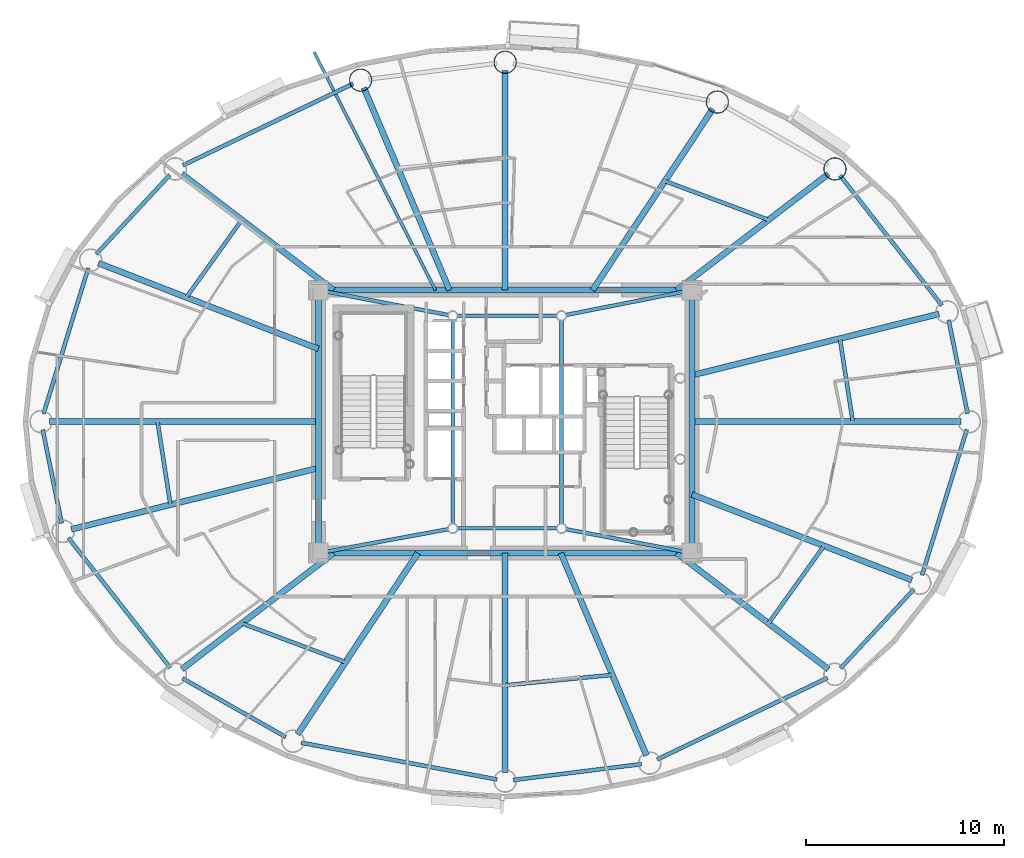
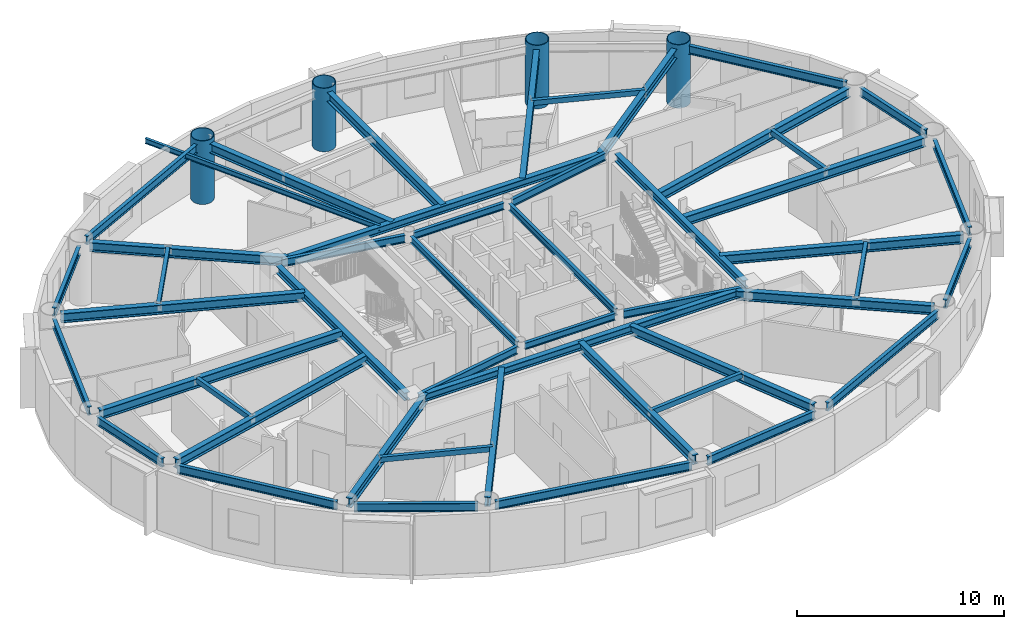
# One storey, part 3 of 22: 49 beams, 4 columns.
"""IFC4 building model written with IfcOpenShell, lengths in metres."""

from ifc_helpers import new_model, si_unit, direction, frame, origin, origin_2d, place, context, subcontext, project, spatial, hollow_rectangle, hollow_circle, i_section, extrude, material, material_profile, profile_set, type_object, element, save


model = new_model("IFC4")

# Units and contexts
model_context = context("Model", 3, precision=1e-05, world=origin(), true_north=direction((0.0, 1.0)))
body_context = subcontext(model_context, "Body", "Model", "MODEL_VIEW")
ifc_project = project(units=[si_unit("LENGTHUNIT", "METRE"), si_unit("AREAUNIT", "SQUARE_METRE"), si_unit("VOLUMEUNIT", "CUBIC_METRE"), si_unit("PLANEANGLEUNIT", "RADIAN"), si_unit("MASSUNIT", "GRAM", prefix="KILO")], contexts=[model_context])

# Site, building, storey
site_placement = place(None, origin())
site = spatial("IfcSite", under=ifc_project, at=site_placement, CompositionType="ELEMENT")
building_placement = place(site_placement, origin())
building = spatial("IfcBuilding", under=site, at=building_placement, Name="Linh Dai School and Residence Tower", CompositionType="ELEMENT")
storey_placement = place(building_placement, frame((0.0, 0.0, 214.050048828125)))
storey = spatial("IfcBuildingStorey", under=building, at=storey_placement, Name="L52", CompositionType="ELEMENT", Elevation=214.050048828125)

# Columns
ifc_material = material(Name="Structural Steel S355JR", Category="steel")
ifc_material_profile_1 = material_profile(ifc_material, hollow_circle(Radius=0.574951171875, WallThickness=0.035888671875, at=origin_2d()), Name="CHS 1150x36")
ifc_profile_set_1 = profile_set([ifc_material_profile_1], Name="Structural Steel S355JR")
column_type = type_object("IfcColumnType", Name="COL-MC5", PredefinedType="COLUMN", material=ifc_profile_set_1)
for number, where, z_axis, x_axis, name in (
    (1, (52.68310546875, 39.781005859375, 0.0), (0.0, 0.0, 1.0), (1.0, 0.0, 0.0), "L52 Perimeter CFT Mega-Column MC03"),
    (2, (46.734619140625, 43.16357421875, 0.0), (0.0, 0.0, 1.0), (1.0, 0.0, 0.0), "L52 Perimeter CFT Mega-Column MC04"),
    (3, (36.0, 45.179931640625, 0.0), (0.0, 0.0, 1.0), (1.0, 0.0, 0.0), "L52 Perimeter CFT Mega-Column MC05"),
    (4, (28.68798828125, 44.2734375, 0.0), (0.0, 0.0, 1.0), (1.0, 0.0, 0.0), "L52 Perimeter CFT Mega-Column MC06"),
):
    element("IfcColumn", number, at=place(storey_placement, frame(where, z_axis=z_axis, x_axis=x_axis)), inside=storey, type_object=column_type, Name=name, PredefinedType="COLUMN", context=body_context, shape_type="SweptSolid", body=[
        extrude(hollow_circle(Radius=0.574951171875, WallThickness=0.035888671875, at=origin_2d()), origin(), (0.0, 0.0, 1.0), 3.75),
    ])

# Beams
ifc_material_profile_2 = material_profile(ifc_material, i_section(OverallWidth=0.14990234375, OverallDepth=0.300048828125, WebThickness=0.007080078125, FlangeThickness=0.0107421875, at=origin_2d()), Name="IPE 300")
ifc_profile_set_2 = profile_set([ifc_material_profile_2], Name="Structural Steel S355JR")
beam_type_1 = type_object("IfcBeamType", Name="BM-BALC-CANT", PredefinedType="BEAM", material=ifc_profile_set_2)
beam_1_placement = place(storey_placement, frame((32.472900390625, 33.64990234375, 3.349853515625), z_axis=(-0.453966886406, 0.891018555388, 0.0), x_axis=(-0.891018555388, -0.453966886406, 0.0)))
element("IfcBeam", 5, at=beam_1_placement, inside=storey, type_object=beam_type_1, Name="L53 Balcony Continuous Cantilever Beam 13", PredefinedType="BEAM", context=body_context, shape_type="SweptSolid", body=[
    extrude(i_section(OverallWidth=0.14990234375, OverallDepth=0.300048828125, WebThickness=0.007080078125, FlangeThickness=0.0107421875, at=origin_2d()), origin(), (0.0, 0.0, 1.0), 13.52392578125),
])
ifc_material_profile_3 = material_profile(ifc_material, hollow_rectangle(XDim=0.199951171875, YDim=0.300048828125, WallThickness=0.010009765625, at=origin_2d()), Name="RHS 300x200x10")
ifc_profile_set_3 = profile_set([ifc_material_profile_3], Name="Structural Steel S355JR")
beam_type_2 = type_object("IfcBeamType", Name="BM-BX3", PredefinedType="BEAM", material=ifc_profile_set_3)
beam_2_placement = place(storey_placement, frame((53.583740234375, 27.0048828125, 3.349853515625), z_axis=(-0.153185278766, 0.988197485511, 0.0), x_axis=(-0.988197485511, -0.153185278766, 0.0)))
element("IfcBeam", 6, at=beam_2_placement, inside=storey, type_object=beam_type_2, Name="L52 Secondary Circumferential Floor Beam 01", PredefinedType="BEAM", context=body_context, shape_type="SweptSolid", body=[
    extrude(hollow_rectangle(XDim=0.199951171875, YDim=0.300048828125, WallThickness=0.010009765625, at=origin_2d()), origin(), (0.0, 0.0, 1.0), 4.244140625),
])
beam_3_placement = place(storey_placement, frame((49.3173828125, 37.207763671875, 3.349853515625), z_axis=(-0.936542736839, 0.350553422567, 0.0), x_axis=(-0.350553422567, -0.936542736839, 0.0)))
element("IfcBeam", 7, at=beam_3_placement, inside=storey, type_object=beam_type_2, Name="L52 Secondary Circumferential Floor Beam 02", PredefinedType="BEAM", context=body_context, shape_type="SweptSolid", body=[
    extrude(hollow_rectangle(XDim=0.199951171875, YDim=0.300048828125, WallThickness=0.010009765625, at=origin_2d()), origin(), (0.0, 0.0, 1.0), 5.586181640625),
])
beam_4_placement = place(storey_placement, frame((22.675048828125, 37.201904296875, 3.349853515625), z_axis=(-0.582034525951, -0.813164073605, 0.0), x_axis=(0.813164073605, -0.582034525951, 0.0)))
element("IfcBeam", 8, at=beam_4_placement, inside=storey, type_object=beam_type_2, Name="L52 Secondary Circumferential Floor Beam 04", PredefinedType="BEAM", context=body_context, shape_type="SweptSolid", body=[
    extrude(hollow_rectangle(XDim=0.199951171875, YDim=0.300048828125, WallThickness=0.010009765625, at=origin_2d()), origin(), (0.0, 0.0, 1.0), 4.8125),
])
beam_5_placement = place(storey_placement, frame((18.416259765625, 26.9951171875, 3.349853515625), z_axis=(0.153185278766, -0.988197485511, 0.0), x_axis=(0.988197485511, 0.153185278766, 0.0)))
element("IfcBeam", 9, at=beam_5_placement, inside=storey, type_object=beam_type_2, Name="L52 Secondary Circumferential Floor Beam 05", PredefinedType="BEAM", context=body_context, shape_type="SweptSolid", body=[
    extrude(hollow_rectangle(XDim=0.199951171875, YDim=0.300048828125, WallThickness=0.010009765625, at=origin_2d()), origin(), (0.0, 0.0, 1.0), 4.244140625),
])
beam_6_placement = place(storey_placement, frame((22.6826171875, 16.792236328125, 3.349853515625), z_axis=(0.936542736839, -0.350553422567, 0.0), x_axis=(0.350553422567, 0.936542736839, 0.0)))
element("IfcBeam", 10, at=beam_6_placement, inside=storey, type_object=beam_type_2, Name="L52 Secondary Circumferential Floor Beam 06", PredefinedType="BEAM", context=body_context, shape_type="SweptSolid", body=[
    extrude(hollow_rectangle(XDim=0.199951171875, YDim=0.300048828125, WallThickness=0.010009765625, at=origin_2d()), origin(), (0.0, 0.0, 1.0), 5.586181640625),
])
beam_7_placement = place(storey_placement, frame((36.0048828125, 13.6630859375, 3.349853515625), z_axis=(0.99533180868, 0.096512126851, 0.0), x_axis=(-0.096512126851, 0.99533180868, 0.0)))
element("IfcBeam", 11, at=beam_7_placement, inside=storey, type_object=beam_type_2, Name="L52 Secondary Circumferential Floor Beam 07", PredefinedType="BEAM", context=body_context, shape_type="SweptSolid", body=[
    extrude(hollow_rectangle(XDim=0.199951171875, YDim=0.300048828125, WallThickness=0.010009765625, at=origin_2d()), origin(), (0.0, 0.0, 1.0), 5.438720703125),
])
beam_8_placement = place(storey_placement, frame((49.324951171875, 16.798095703125, 3.349853515625), z_axis=(0.582034525951, 0.813164073605, 0.0), x_axis=(-0.813164073605, 0.582034525951, 0.0)))
element("IfcBeam", 12, at=beam_8_placement, inside=storey, type_object=beam_type_2, Name="L52 Secondary Circumferential Floor Beam 08", PredefinedType="BEAM", context=body_context, shape_type="SweptSolid", body=[
    extrude(hollow_rectangle(XDim=0.199951171875, YDim=0.300048828125, WallThickness=0.010009765625, at=origin_2d()), origin(), (0.0, 0.0, 1.0), 4.8125),
])
ifc_material_profile_4 = material_profile(ifc_material, i_section(OverallWidth=0.199951171875, OverallDepth=0.5, WebThickness=0.01025390625, FlangeThickness=0.01611328125, FilletRadius=0.02099609375, at=origin_2d()), Name="IPE 500")
ifc_profile_set_4 = profile_set([ifc_material_profile_4], Name="Structural Steel S355JR")
beam_type_3 = type_object("IfcBeamType", Name="BM-RB50", PredefinedType="BEAM", material=ifc_profile_set_4)
beam_9_placement = place(storey_placement, frame((59.3916015625, 27.41162109375, 3.25), z_axis=(-0.198423200906, 0.980116438666, 0.0), x_axis=(-0.980116438666, -0.198423200906, 0.0)))
element("IfcBeam", 13, at=beam_9_placement, inside=storey, type_object=beam_type_3, Name="L52 Perimeter Elliptical Ring Beam 01", PredefinedType="BEAM", context=body_context, shape_type="SweptSolid", body=[
    extrude(i_section(OverallWidth=0.199951171875, OverallDepth=0.5, WebThickness=0.01025390625, FlangeThickness=0.01611328125, FilletRadius=0.02099609375, at=origin_2d()), origin(), (0.0, 0.0, 1.0), 4.822021484375),
])
beam_10_placement = place(storey_placement, frame((58.09228515625, 32.8798828125, 3.25), z_axis=(-0.616900268003, 0.787041332674, 0.0), x_axis=(-0.787041332674, -0.616900268003, 0.0)))
element("IfcBeam", 14, at=beam_10_placement, inside=storey, type_object=beam_type_3, Name="L52 Perimeter Elliptical Ring Beam 02", PredefinedType="BEAM", context=body_context, shape_type="SweptSolid", body=[
    extrude(i_section(OverallWidth=0.199951171875, OverallDepth=0.5, WebThickness=0.01025390625, FlangeThickness=0.01611328125, FilletRadius=0.02099609375, at=origin_2d()), origin(), (0.0, 0.0, 1.0), 8.348388671875),
])
beam_11_placement = place(storey_placement, frame((28.309326171875, 44.092041015625, 3.25), z_axis=(-0.901735920201, -0.432287323686, 0.0), x_axis=(0.432287323686, -0.901735920201, 0.0)))
element("IfcBeam", 15, at=beam_11_placement, inside=storey, type_object=beam_type_3, Name="L52 Perimeter Elliptical Ring Beam 06", PredefinedType="BEAM", context=body_context, shape_type="SweptSolid", body=[
    extrude(i_section(OverallWidth=0.199951171875, OverallDepth=0.5, WebThickness=0.01025390625, FlangeThickness=0.01611328125, FilletRadius=0.02099609375, at=origin_2d()), origin(), (0.0, 0.0, 1.0), 9.552490234375),
])
beam_12_placement = place(storey_placement, frame((19.031005859375, 39.47314453125, 3.25), z_axis=(-0.68040816846, -0.732833353699, 0.0), x_axis=(0.732833353699, -0.68040816846, 0.0)))
element("IfcBeam", 16, at=beam_12_placement, inside=storey, type_object=beam_type_3, Name="L52 Perimeter Elliptical Ring Beam 07", PredefinedType="BEAM", context=body_context, shape_type="SweptSolid", body=[
    extrude(i_section(OverallWidth=0.199951171875, OverallDepth=0.5, WebThickness=0.01025390625, FlangeThickness=0.01611328125, FilletRadius=0.02099609375, at=origin_2d()), origin(), (0.0, 0.0, 1.0), 5.453369140625),
])
beam_13_placement = place(storey_placement, frame((14.911376953125, 34.767578125, 3.25), z_axis=(-0.293660595717, -0.95590975229, 0.0), x_axis=(0.95590975229, -0.293660595717, 0.0)))
element("IfcBeam", 17, at=beam_13_placement, inside=storey, type_object=beam_type_3, Name="L52 Perimeter Elliptical Ring Beam 08", PredefinedType="BEAM", context=body_context, shape_type="SweptSolid", body=[
    extrude(i_section(OverallWidth=0.199951171875, OverallDepth=0.5, WebThickness=0.01025390625, FlangeThickness=0.01611328125, FilletRadius=0.02099609375, at=origin_2d()), origin(), (0.0, 0.0, 1.0), 7.7060546875),
])
beam_14_placement = place(storey_placement, frame((12.6083984375, 26.58837890625, 3.25), z_axis=(0.198423200906, -0.980116438666, 0.0), x_axis=(0.980116438666, 0.198423200906, 0.0)))
element("IfcBeam", 18, at=beam_14_placement, inside=storey, type_object=beam_type_3, Name="L52 Perimeter Elliptical Ring Beam 09", PredefinedType="BEAM", context=body_context, shape_type="SweptSolid", body=[
    extrude(i_section(OverallWidth=0.199951171875, OverallDepth=0.5, WebThickness=0.01025390625, FlangeThickness=0.01611328125, FilletRadius=0.02099609375, at=origin_2d()), origin(), (0.0, 0.0, 1.0), 4.822021484375),
])
beam_15_placement = place(storey_placement, frame((13.90771484375, 21.1201171875, 3.25), z_axis=(0.616900268003, -0.787041332674, 0.0), x_axis=(0.787041332674, 0.616900268003, 0.0)))
element("IfcBeam", 19, at=beam_15_placement, inside=storey, type_object=beam_type_3, Name="L52 Perimeter Elliptical Ring Beam 10", PredefinedType="BEAM", context=body_context, shape_type="SweptSolid", body=[
    extrude(i_section(OverallWidth=0.199951171875, OverallDepth=0.5, WebThickness=0.01025390625, FlangeThickness=0.01611328125, FilletRadius=0.02099609375, at=origin_2d()), origin(), (0.0, 0.0, 1.0), 8.348388671875),
])
beam_16_placement = place(storey_placement, frame((19.681884765625, 14.011474609375, 3.25), z_axis=(0.869297314463, -0.494289570058, 0.0), x_axis=(0.494289570058, 0.869297314463, 0.0)))
element("IfcBeam", 20, at=beam_16_placement, inside=storey, type_object=beam_type_3, Name="L52 Perimeter Elliptical Ring Beam 11", PredefinedType="BEAM", context=body_context, shape_type="SweptSolid", body=[
    extrude(i_section(OverallWidth=0.199951171875, OverallDepth=0.5, WebThickness=0.01025390625, FlangeThickness=0.01611328125, FilletRadius=0.02099609375, at=origin_2d()), origin(), (0.0, 0.0, 1.0), 6.003173828125),
])
beam_17_placement = place(storey_placement, frame((25.67822265625, 10.759033203125, 3.25), z_axis=(0.982806607762, -0.184637947722, 0.0), x_axis=(0.184637947722, 0.982806607762, 0.0)))
element("IfcBeam", 21, at=beam_17_placement, inside=storey, type_object=beam_type_3, Name="L52 Perimeter Elliptical Ring Beam 12", PredefinedType="BEAM", context=body_context, shape_type="SweptSolid", body=[
    extrude(i_section(OverallWidth=0.199951171875, OverallDepth=0.5, WebThickness=0.01025390625, FlangeThickness=0.01611328125, FilletRadius=0.02099609375, at=origin_2d()), origin(), (0.0, 0.0, 1.0), 10.082275390625),
])
beam_18_placement = place(storey_placement, frame((36.416748046875, 8.87158203125, 3.25), z_axis=(0.992401656104, 0.123040452539, 0.0), x_axis=(-0.123040452539, 0.992401656104, 0.0)))
element("IfcBeam", 22, at=beam_18_placement, inside=storey, type_object=beam_type_3, Name="L52 Perimeter Elliptical Ring Beam 13", PredefinedType="BEAM", context=body_context, shape_type="SweptSolid", body=[
    extrude(i_section(OverallWidth=0.199951171875, OverallDepth=0.5, WebThickness=0.01025390625, FlangeThickness=0.01611328125, FilletRadius=0.02099609375, at=origin_2d()), origin(), (0.0, 0.0, 1.0), 6.528076171875),
])
beam_19_placement = place(storey_placement, frame((43.690673828125, 9.907958984375, 3.25), z_axis=(0.901735920201, 0.432287323686, 0.0), x_axis=(-0.432287323686, 0.901735920201, 0.0)))
element("IfcBeam", 23, at=beam_19_placement, inside=storey, type_object=beam_type_3, Name="L52 Perimeter Elliptical Ring Beam 14", PredefinedType="BEAM", context=body_context, shape_type="SweptSolid", body=[
    extrude(i_section(OverallWidth=0.199951171875, OverallDepth=0.5, WebThickness=0.01025390625, FlangeThickness=0.01611328125, FilletRadius=0.02099609375, at=origin_2d()), origin(), (0.0, 0.0, 1.0), 9.552490234375),
])
beam_20_placement = place(storey_placement, frame((52.968994140625, 14.52685546875, 3.25), z_axis=(0.68040816846, 0.732833353699, 0.0), x_axis=(-0.732833353699, 0.68040816846, 0.0)))
element("IfcBeam", 24, at=beam_20_placement, inside=storey, type_object=beam_type_3, Name="L52 Perimeter Elliptical Ring Beam 15", PredefinedType="BEAM", context=body_context, shape_type="SweptSolid", body=[
    extrude(i_section(OverallWidth=0.199951171875, OverallDepth=0.5, WebThickness=0.01025390625, FlangeThickness=0.01611328125, FilletRadius=0.02099609375, at=origin_2d()), origin(), (0.0, 0.0, 1.0), 5.453369140625),
])
beam_21_placement = place(storey_placement, frame((57.088623046875, 19.232421875, 3.25), z_axis=(0.293660595717, 0.95590975229, 0.0), x_axis=(-0.95590975229, 0.293660595717, 0.0)))
element("IfcBeam", 25, at=beam_21_placement, inside=storey, type_object=beam_type_3, Name="L52 Perimeter Elliptical Ring Beam 16", PredefinedType="BEAM", context=body_context, shape_type="SweptSolid", body=[
    extrude(i_section(OverallWidth=0.199951171875, OverallDepth=0.5, WebThickness=0.01025390625, FlangeThickness=0.01611328125, FilletRadius=0.02099609375, at=origin_2d()), origin(), (0.0, 0.0, 1.0), 7.7060546875),
])
ifc_material_profile_5 = material_profile(ifc_material, i_section(OverallWidth=0.300048828125, OverallDepth=0.449951171875, WebThickness=0.013916015625, FlangeThickness=0.02587890625, FilletRadius=0.027099609375, at=origin_2d()), Name="HEB 450")
ifc_profile_set_5 = profile_set([ifc_material_profile_5], Name="Structural Steel S355JR")
beam_type_4 = type_object("IfcBeamType", Name="BM-RG45", PredefinedType="BEAM", material=ifc_profile_set_5)
beam_22_placement = place(storey_placement, frame((26.969970703125, 20.35009765625, 3.27490234375), z_axis=(1.0, 0.0, 0.0), x_axis=(0.0, 1.0, 0.0)))
element("IfcBeam", 26, at=beam_22_placement, inside=storey, type_object=beam_type_4, Name="L52 Core Perimeter Coupling Girder 1", PredefinedType="BEAM", context=body_context, shape_type="SweptSolid", body=[
    extrude(i_section(OverallWidth=0.300048828125, OverallDepth=0.449951171875, WebThickness=0.013916015625, FlangeThickness=0.02587890625, FilletRadius=0.027099609375, at=origin_2d()), origin(), (0.0, 0.0, 1.0), 18.06005859375),
])
beam_23_placement = place(storey_placement, frame((45.449951171875, 20.77001953125, 3.27490234375), z_axis=(0.0, 1.0, 0.0), x_axis=(-1.0, 0.0, 0.0)))
element("IfcBeam", 27, at=beam_23_placement, inside=storey, type_object=beam_type_4, Name="L52 Core Perimeter Coupling Girder 2", PredefinedType="BEAM", context=body_context, shape_type="SweptSolid", body=[
    extrude(i_section(OverallWidth=0.300048828125, OverallDepth=0.449951171875, WebThickness=0.013916015625, FlangeThickness=0.02587890625, FilletRadius=0.027099609375, at=origin_2d()), origin(), (0.0, 0.0, 1.0), 12.4599609375),
])
beam_24_placement = place(storey_placement, frame((45.030029296875, 33.64990234375, 3.27490234375), z_axis=(-1.0, 0.0, 0.0), x_axis=(0.0, -1.0, 0.0)))
element("IfcBeam", 28, at=beam_24_placement, inside=storey, type_object=beam_type_4, Name="L52 Core Perimeter Coupling Girder 3", PredefinedType="BEAM", context=body_context, shape_type="SweptSolid", body=[
    extrude(i_section(OverallWidth=0.300048828125, OverallDepth=0.449951171875, WebThickness=0.013916015625, FlangeThickness=0.02587890625, FilletRadius=0.027099609375, at=origin_2d()), origin(), (0.0, 0.0, 1.0), 18.06005859375),
])
beam_25_placement = place(storey_placement, frame((26.550048828125, 33.22998046875, 3.27490234375), z_axis=(0.0, -1.0, 0.0), x_axis=(1.0, 0.0, 0.0)))
element("IfcBeam", 29, at=beam_25_placement, inside=storey, type_object=beam_type_4, Name="L52 Core Perimeter Coupling Girder 4", PredefinedType="BEAM", context=body_context, shape_type="SweptSolid", body=[
    extrude(i_section(OverallWidth=0.300048828125, OverallDepth=0.449951171875, WebThickness=0.013916015625, FlangeThickness=0.02587890625, FilletRadius=0.027099609375, at=origin_2d()), origin(), (0.0, 0.0, 1.0), 12.4599609375),
])
ifc_material_profile_6 = material_profile(ifc_material, i_section(OverallWidth=0.300048828125, OverallDepth=0.550048828125, WebThickness=0.014892578125, FlangeThickness=0.029052734375, FilletRadius=0.027099609375, at=origin_2d()), Name="HEB 550")
ifc_profile_set_6 = profile_set([ifc_material_profile_6], Name="Structural Steel S355JR")
beam_type_5 = type_object("IfcBeamType", Name="BM-RG55", PredefinedType="BEAM", material=ifc_profile_set_6)
beam_26_placement = place(storey_placement, frame((45.449951171875, 27.0, 3.224853515625), z_axis=(1.0, 0.0, 0.0), x_axis=(0.0, 1.0, 0.0)))
element("IfcBeam", 30, at=beam_26_placement, inside=storey, type_object=beam_type_5, Name="L52 Primary Radial Floor Girder 01", PredefinedType="BEAM", context=body_context, shape_type="SweptSolid", body=[
    extrude(i_section(OverallWidth=0.300048828125, OverallDepth=0.550048828125, WebThickness=0.014892578125, FlangeThickness=0.029052734375, FilletRadius=0.027099609375, at=origin_2d()), origin(), (0.0, 0.0, 1.0), 13.60498046875),
])
beam_27_placement = place(storey_placement, frame((45.449951171875, 29.34619140625, 3.224853515625), z_axis=(0.970537241974, 0.240951160904, 0.0), x_axis=(-0.240951160904, 0.970537241974, 0.0)))
element("IfcBeam", 31, at=beam_27_placement, inside=storey, type_object=beam_type_5, Name="L52 Primary Radial Floor Girder 02", PredefinedType="BEAM", context=body_context, shape_type="SweptSolid", body=[
    extrude(i_section(OverallWidth=0.300048828125, OverallDepth=0.550048828125, WebThickness=0.014892578125, FlangeThickness=0.029052734375, FilletRadius=0.027099609375, at=origin_2d()), origin(), (0.0, 0.0, 1.0), 12.873291015625),
])
beam_28_placement = place(storey_placement, frame((44.680419921875, 33.64990234375, 3.224853515625), z_axis=(0.793814553483, 0.608159892363, 0.0), x_axis=(-0.608159892363, 0.793814553483, 0.0)))
element("IfcBeam", 32, at=beam_28_placement, inside=storey, type_object=beam_type_5, Name="L52 Primary Radial Floor Girder 03", PredefinedType="BEAM", context=body_context, shape_type="SweptSolid", body=[
    extrude(i_section(OverallWidth=0.300048828125, OverallDepth=0.550048828125, WebThickness=0.014892578125, FlangeThickness=0.029052734375, FilletRadius=0.027099609375, at=origin_2d()), origin(), (0.0, 0.0, 1.0), 9.661376953125),
])
beam_29_placement = place(storey_placement, frame((40.41650390625, 33.64990234375, 3.224853515625), z_axis=(0.553219177991, 0.833035738191, 0.0), x_axis=(-0.833035738191, 0.553219177991, 0.0)))
element("IfcBeam", 33, at=beam_29_placement, inside=storey, type_object=beam_type_5, Name="L52 Primary Radial Floor Girder 04", PredefinedType="BEAM", context=body_context, shape_type="SweptSolid", body=[
    extrude(i_section(OverallWidth=0.300048828125, OverallDepth=0.550048828125, WebThickness=0.014892578125, FlangeThickness=0.029052734375, FilletRadius=0.027099609375, at=origin_2d()), origin(), (0.0, 0.0, 1.0), 11.00048828125),
])
beam_30_placement = place(storey_placement, frame((36.0, 33.64990234375, 3.224853515625), z_axis=(0.0, 1.0, 0.0), x_axis=(-1.0, 0.0, 0.0)))
element("IfcBeam", 34, at=beam_30_placement, inside=storey, type_object=beam_type_5, Name="L52 Primary Radial Floor Girder 05", PredefinedType="BEAM", context=body_context, shape_type="SweptSolid", body=[
    extrude(i_section(OverallWidth=0.300048828125, OverallDepth=0.550048828125, WebThickness=0.014892578125, FlangeThickness=0.029052734375, FilletRadius=0.027099609375, at=origin_2d()), origin(), (0.0, 0.0, 1.0), 11.110107421875),
])
beam_31_placement = place(storey_placement, frame((33.18505859375, 33.64990234375, 3.224853515625), z_axis=(-0.389814803082, 0.920893272479, 0.0), x_axis=(-0.920893272479, -0.389814803082, 0.0)))
element("IfcBeam", 35, at=beam_31_placement, inside=storey, type_object=beam_type_5, Name="L52 Primary Radial Floor Girder 06", PredefinedType="BEAM", context=body_context, shape_type="SweptSolid", body=[
    extrude(i_section(OverallWidth=0.300048828125, OverallDepth=0.550048828125, WebThickness=0.014892578125, FlangeThickness=0.029052734375, FilletRadius=0.027099609375, at=origin_2d()), origin(), (0.0, 0.0, 1.0), 11.1162109375),
])
beam_32_placement = place(storey_placement, frame((27.319580078125, 33.64990234375, 3.224853515625), z_axis=(-0.793814553483, 0.608159892363, 0.0), x_axis=(-0.608159892363, -0.793814553483, 0.0)))
element("IfcBeam", 36, at=beam_32_placement, inside=storey, type_object=beam_type_5, Name="L52 Primary Radial Floor Girder 07", PredefinedType="BEAM", context=body_context, shape_type="SweptSolid", body=[
    extrude(i_section(OverallWidth=0.300048828125, OverallDepth=0.550048828125, WebThickness=0.014892578125, FlangeThickness=0.029052734375, FilletRadius=0.027099609375, at=origin_2d()), origin(), (0.0, 0.0, 1.0), 9.661376953125),
])
beam_33_placement = place(storey_placement, frame((26.550048828125, 30.68212890625, 3.224853515625), z_axis=(-0.931764994123, 0.363061972295, 0.0), x_axis=(-0.363061972295, -0.931764994123, 0.0)))
element("IfcBeam", 37, at=beam_33_placement, inside=storey, type_object=beam_type_5, Name="L52 Primary Radial Floor Girder 08", PredefinedType="BEAM", context=body_context, shape_type="SweptSolid", body=[
    extrude(i_section(OverallWidth=0.300048828125, OverallDepth=0.550048828125, WebThickness=0.014892578125, FlangeThickness=0.029052734375, FilletRadius=0.027099609375, at=origin_2d()), origin(), (0.0, 0.0, 1.0), 11.938720703125),
])
beam_34_placement = place(storey_placement, frame((26.550048828125, 27.0, 3.224853515625), z_axis=(-1.0, 0.0, 0.0), x_axis=(0.0, -1.0, 0.0)))
element("IfcBeam", 38, at=beam_34_placement, inside=storey, type_object=beam_type_5, Name="L52 Primary Radial Floor Girder 09", PredefinedType="BEAM", context=body_context, shape_type="SweptSolid", body=[
    extrude(i_section(OverallWidth=0.300048828125, OverallDepth=0.550048828125, WebThickness=0.014892578125, FlangeThickness=0.029052734375, FilletRadius=0.027099609375, at=origin_2d()), origin(), (0.0, 0.0, 1.0), 13.60498046875),
])
beam_35_placement = place(storey_placement, frame((26.550048828125, 24.65380859375, 3.224853515625), z_axis=(-0.970537241974, -0.240951160904, 0.0), x_axis=(0.240951160904, -0.970537241974, 0.0)))
element("IfcBeam", 39, at=beam_35_placement, inside=storey, type_object=beam_type_5, Name="L52 Primary Radial Floor Girder 10", PredefinedType="BEAM", context=body_context, shape_type="SweptSolid", body=[
    extrude(i_section(OverallWidth=0.300048828125, OverallDepth=0.550048828125, WebThickness=0.014892578125, FlangeThickness=0.029052734375, FilletRadius=0.027099609375, at=origin_2d()), origin(), (0.0, 0.0, 1.0), 12.873291015625),
])
beam_36_placement = place(storey_placement, frame((27.319580078125, 20.35009765625, 3.224853515625), z_axis=(-0.793814553483, -0.608159892363, 0.0), x_axis=(0.608159892363, -0.793814553483, 0.0)))
element("IfcBeam", 40, at=beam_36_placement, inside=storey, type_object=beam_type_5, Name="L52 Primary Radial Floor Girder 11", PredefinedType="BEAM", context=body_context, shape_type="SweptSolid", body=[
    extrude(i_section(OverallWidth=0.300048828125, OverallDepth=0.550048828125, WebThickness=0.014892578125, FlangeThickness=0.029052734375, FilletRadius=0.027099609375, at=origin_2d()), origin(), (0.0, 0.0, 1.0), 9.661376953125),
])
beam_37_placement = place(storey_placement, frame((31.58349609375, 20.35009765625, 3.224853515625), z_axis=(-0.553219177991, -0.833035738191, 0.0), x_axis=(0.833035738191, -0.553219177991, 0.0)))
element("IfcBeam", 41, at=beam_37_placement, inside=storey, type_object=beam_type_5, Name="L52 Primary Radial Floor Girder 12", PredefinedType="BEAM", context=body_context, shape_type="SweptSolid", body=[
    extrude(i_section(OverallWidth=0.300048828125, OverallDepth=0.550048828125, WebThickness=0.014892578125, FlangeThickness=0.029052734375, FilletRadius=0.027099609375, at=origin_2d()), origin(), (0.0, 0.0, 1.0), 11.00048828125),
])
beam_38_placement = place(storey_placement, frame((36.0, 20.35009765625, 3.224853515625), z_axis=(0.0, -1.0, 0.0), x_axis=(1.0, 0.0, 0.0)))
element("IfcBeam", 42, at=beam_38_placement, inside=storey, type_object=beam_type_5, Name="L52 Primary Radial Floor Girder 13", PredefinedType="BEAM", context=body_context, shape_type="SweptSolid", body=[
    extrude(i_section(OverallWidth=0.300048828125, OverallDepth=0.550048828125, WebThickness=0.014892578125, FlangeThickness=0.029052734375, FilletRadius=0.027099609375, at=origin_2d()), origin(), (0.0, 0.0, 1.0), 11.110107421875),
])
beam_39_placement = place(storey_placement, frame((38.81494140625, 20.35009765625, 3.224853515625), z_axis=(0.389814803082, -0.920893272479, 0.0), x_axis=(0.920893272479, 0.389814803082, 0.0)))
element("IfcBeam", 43, at=beam_39_placement, inside=storey, type_object=beam_type_5, Name="L52 Primary Radial Floor Girder 14", PredefinedType="BEAM", context=body_context, shape_type="SweptSolid", body=[
    extrude(i_section(OverallWidth=0.300048828125, OverallDepth=0.550048828125, WebThickness=0.014892578125, FlangeThickness=0.029052734375, FilletRadius=0.027099609375, at=origin_2d()), origin(), (0.0, 0.0, 1.0), 11.1162109375),
])
beam_40_placement = place(storey_placement, frame((44.680419921875, 20.35009765625, 3.224853515625), z_axis=(0.793814553483, -0.608159892363, 0.0), x_axis=(0.608159892363, 0.793814553483, 0.0)))
element("IfcBeam", 44, at=beam_40_placement, inside=storey, type_object=beam_type_5, Name="L52 Primary Radial Floor Girder 15", PredefinedType="BEAM", context=body_context, shape_type="SweptSolid", body=[
    extrude(i_section(OverallWidth=0.300048828125, OverallDepth=0.550048828125, WebThickness=0.014892578125, FlangeThickness=0.029052734375, FilletRadius=0.027099609375, at=origin_2d()), origin(), (0.0, 0.0, 1.0), 9.661376953125),
])
beam_41_placement = place(storey_placement, frame((45.449951171875, 23.31787109375, 3.224853515625), z_axis=(0.931764994123, -0.363061972295, 0.0), x_axis=(0.363061972295, 0.931764994123, 0.0)))
element("IfcBeam", 45, at=beam_41_placement, inside=storey, type_object=beam_type_5, Name="L52 Primary Radial Floor Girder 16", PredefinedType="BEAM", context=body_context, shape_type="SweptSolid", body=[
    extrude(i_section(OverallWidth=0.300048828125, OverallDepth=0.550048828125, WebThickness=0.014892578125, FlangeThickness=0.029052734375, FilletRadius=0.027099609375, at=origin_2d()), origin(), (0.0, 0.0, 1.0), 11.938720703125),
])
ifc_material_profile_7 = material_profile(ifc_material, i_section(OverallWidth=0.179931640625, OverallDepth=0.39990234375, WebThickness=0.008544921875, FlangeThickness=0.013427734375, FilletRadius=0.02099609375, at=origin_2d()), Name="IPE 400")
ifc_profile_set_7 = profile_set([ifc_material_profile_7], Name="Structural Steel S355JR")
beam_type_6 = type_object("IfcBeamType", Name="BM-SB40", PredefinedType="BEAM", material=ifc_profile_set_7)
beam_42_placement = place(storey_placement, frame((33.573974609375, 21.60009765625, 3.300048828125), z_axis=(1.0, 0.0, 0.0), x_axis=(0.0, 1.0, 0.0)))
element("IfcBeam", 46, at=beam_42_placement, inside=storey, type_object=beam_type_6, Name="L52 Core Mast Pier Tie Beam 1", PredefinedType="BEAM", context=body_context, shape_type="SweptSolid", body=[
    extrude(i_section(OverallWidth=0.179931640625, OverallDepth=0.39990234375, WebThickness=0.008544921875, FlangeThickness=0.013427734375, FilletRadius=0.02099609375, at=origin_2d()), origin(), (0.0, 0.0, 1.0), 5.052001953125),
])
beam_43_placement = place(storey_placement, frame((38.85009765625, 21.823974609375, 3.300048828125), z_axis=(0.0, 1.0, 0.0), x_axis=(-1.0, 0.0, 0.0)))
element("IfcBeam", 47, at=beam_43_placement, inside=storey, type_object=beam_type_6, Name="L52 Core Mast Pier Tie Beam 2", PredefinedType="BEAM", context=body_context, shape_type="SweptSolid", body=[
    extrude(i_section(OverallWidth=0.179931640625, OverallDepth=0.39990234375, WebThickness=0.008544921875, FlangeThickness=0.013427734375, FilletRadius=0.02099609375, at=origin_2d()), origin(), (0.0, 0.0, 1.0), 10.302001953125),
])
beam_44_placement = place(storey_placement, frame((38.6259765625, 32.35009765625, 3.300048828125), z_axis=(-1.0, 0.0, 0.0), x_axis=(0.0, -1.0, 0.0)))
element("IfcBeam", 48, at=beam_44_placement, inside=storey, type_object=beam_type_6, Name="L52 Core Mast Pier Tie Beam 3", PredefinedType="BEAM", context=body_context, shape_type="SweptSolid", body=[
    extrude(i_section(OverallWidth=0.179931640625, OverallDepth=0.39990234375, WebThickness=0.008544921875, FlangeThickness=0.013427734375, FilletRadius=0.02099609375, at=origin_2d()), origin(), (0.0, 0.0, 1.0), 5.052001953125),
])
beam_45_placement = place(storey_placement, frame((33.35009765625, 32.1259765625, 3.300048828125), z_axis=(0.0, -1.0, 0.0), x_axis=(1.0, 0.0, 0.0)))
element("IfcBeam", 49, at=beam_45_placement, inside=storey, type_object=beam_type_6, Name="L52 Core Mast Pier Tie Beam 4", PredefinedType="BEAM", context=body_context, shape_type="SweptSolid", body=[
    extrude(i_section(OverallWidth=0.179931640625, OverallDepth=0.39990234375, WebThickness=0.008544921875, FlangeThickness=0.013427734375, FilletRadius=0.02099609375, at=origin_2d()), origin(), (0.0, 0.0, 1.0), 10.302001953125),
])
ifc_material_profile_8 = material_profile(ifc_material, i_section(OverallWidth=0.18994140625, OverallDepth=0.449951171875, WebThickness=0.009521484375, FlangeThickness=0.0146484375, FilletRadius=0.02099609375, at=origin_2d()), Name="IPE 450")
ifc_profile_set_8 = profile_set([ifc_material_profile_8], Name="Structural Steel S355JR")
beam_type_7 = type_object("IfcBeamType", Name="BM-SB45", PredefinedType="BEAM", material=ifc_profile_set_8)
beam_46_placement = place(storey_placement, frame((26.963134765625, 20.426025390625, 3.27490234375), z_axis=(0.983521034508, 0.180793735182, 0.0), x_axis=(-0.180793735182, 0.983521034508, 0.0)))
element("IfcBeam", 50, at=beam_46_placement, inside=storey, type_object=beam_type_7, Name="L52 Core Corner-to-Mast Pier Beam 1", PredefinedType="BEAM", context=body_context, shape_type="SweptSolid", body=[
    extrude(i_section(OverallWidth=0.18994140625, OverallDepth=0.449951171875, WebThickness=0.009521484375, FlangeThickness=0.0146484375, FilletRadius=0.02099609375, at=origin_2d()), origin(), (0.0, 0.0, 1.0), 6.269775390625),
])
beam_47_placement = place(storey_placement, frame((45.037353515625, 20.42822265625, 3.27490234375), z_axis=(-0.982534706692, 0.186079418921, 0.0), x_axis=(-0.186079418921, -0.982534706692, 0.0)))
element("IfcBeam", 51, at=beam_47_placement, inside=storey, type_object=beam_type_7, Name="L52 Core Corner-to-Mast Pier Beam 2", PredefinedType="BEAM", context=body_context, shape_type="SweptSolid", body=[
    extrude(i_section(OverallWidth=0.18994140625, OverallDepth=0.449951171875, WebThickness=0.009521484375, FlangeThickness=0.0146484375, FilletRadius=0.02099609375, at=origin_2d()), origin(), (0.0, 0.0, 1.0), 6.0732421875),
])
beam_48_placement = place(storey_placement, frame((45.037841796875, 33.56884765625, 3.27490234375), z_axis=(-0.981147696489, -0.193259405138, 0.0), x_axis=(0.193259405138, -0.981147696489, 0.0)))
element("IfcBeam", 52, at=beam_48_placement, inside=storey, type_object=beam_type_7, Name="L52 Core Corner-to-Mast Pier Beam 3", PredefinedType="BEAM", context=body_context, shape_type="SweptSolid", body=[
    extrude(i_section(OverallWidth=0.18994140625, OverallDepth=0.449951171875, WebThickness=0.009521484375, FlangeThickness=0.0146484375, FilletRadius=0.02099609375, at=origin_2d()), origin(), (0.0, 0.0, 1.0), 6.082763671875),
])
beam_49_placement = place(storey_placement, frame((26.962646484375, 33.571044921875, 3.27490234375), z_axis=(0.982214129725, -0.187764222812, 0.0), x_axis=(0.187764222812, 0.982214129725, 0.0)))
element("IfcBeam", 53, at=beam_49_placement, inside=storey, type_object=beam_type_7, Name="L52 Core Corner-to-Mast Pier Beam 4", PredefinedType="BEAM", context=body_context, shape_type="SweptSolid", body=[
    extrude(i_section(OverallWidth=0.18994140625, OverallDepth=0.449951171875, WebThickness=0.009521484375, FlangeThickness=0.0146484375, FilletRadius=0.02099609375, at=origin_2d()), origin(), (0.0, 0.0, 1.0), 6.27880859375),
])

save(model, "model.ifc")
